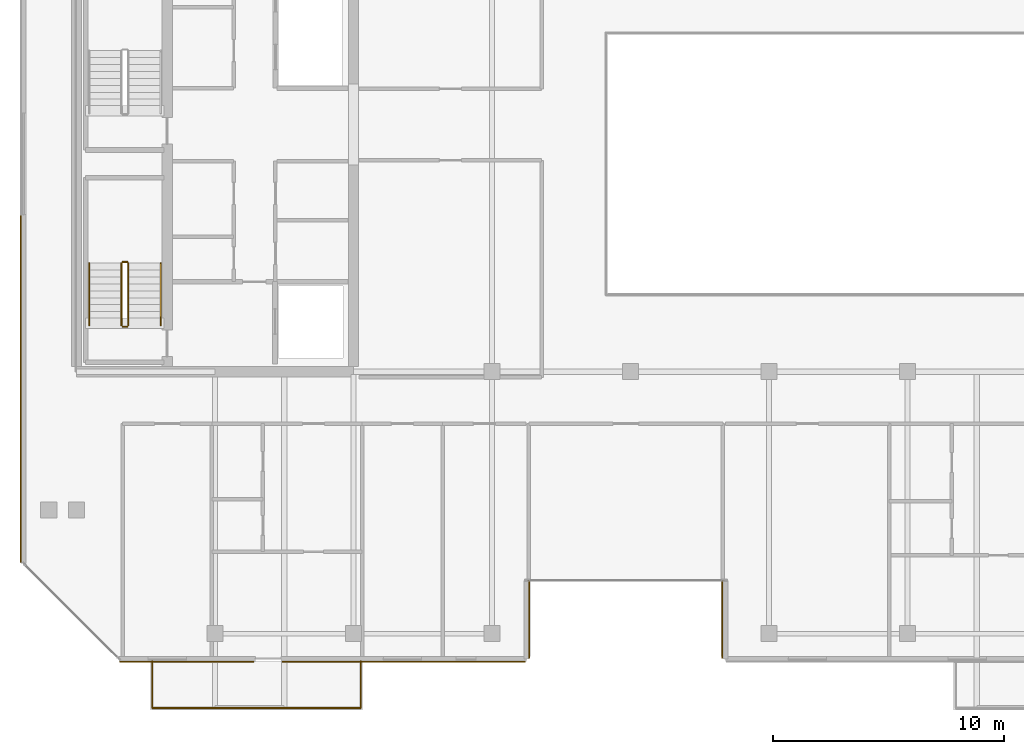
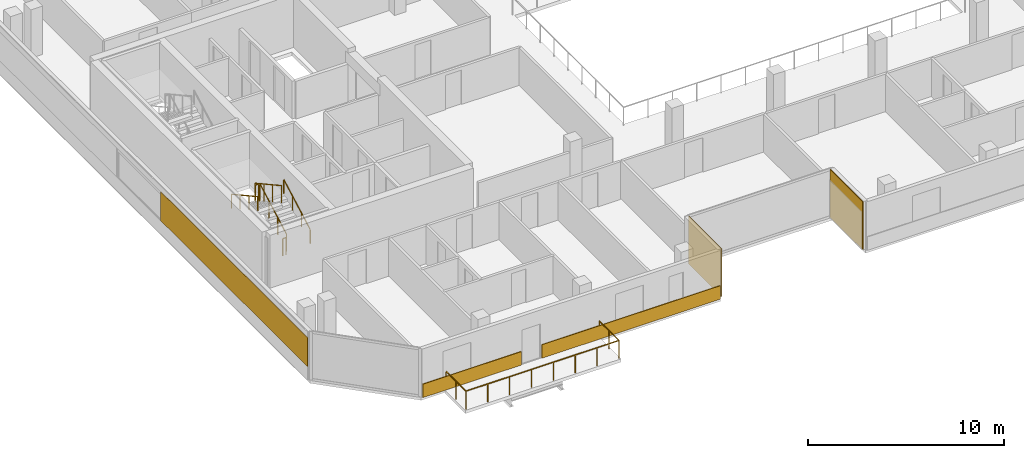
# One storey, part 21 of 24: 7 railings, 5 coverings.
"""IFC4 building model written with IfcOpenShell, lengths in metres."""

from ifc_helpers import new_model, si_unit, direction, frame, origin, origin_2d, place, context, subcontext, project, spatial, rectangle, extrude, material, layer, layer_set, type_object, element, save


model = new_model("IFC4")

# Units and contexts
model_context = context("Model", 3, precision=1e-05, world=origin(), true_north=direction((0.0, 1.0)))
body_context = subcontext(model_context, "Body", "Model", "MODEL_VIEW")
ifc_project = project(units=[si_unit("LENGTHUNIT", "METRE"), si_unit("AREAUNIT", "SQUARE_METRE"), si_unit("VOLUMEUNIT", "CUBIC_METRE"), si_unit("PLANEANGLEUNIT", "RADIAN"), si_unit("MASSUNIT", "GRAM", prefix="KILO")], contexts=[model_context])

# Site, building, storey
site_placement = place(None, origin())
site = spatial("IfcSite", under=ifc_project, at=site_placement, CompositionType="ELEMENT")
building_placement = place(site_placement, origin())
building = spatial("IfcBuilding", under=site, at=building_placement, Name="Tanjung Sevakor Pilgrim Tower", CompositionType="ELEMENT")
storey_placement = place(building_placement, frame((0.0, 0.0, 226.050048828125)))
storey = spatial("IfcBuildingStorey", under=building, at=storey_placement, Name="L63", CompositionType="ELEMENT", Elevation=226.050048828125)

# Coverings
ifc_material_1 = material(Name="Reconstructed Limestone Cladding", Category="masonry")
ifc_layer = layer(ifc_material_1, 0.044921875)
ifc_layer_set = layer_set([ifc_layer], Name="COV-CLAD-LIMESTONE")
covering_type = type_object("IfcCoveringType", Name="COV-CLAD-LIMESTONE", PredefinedType="CLADDING", material=ifc_layer_set)
covering_1_placement = place(storey_placement, frame((28.787841796875, 12.027587890625, 0.009765625), z_axis=(0.0, 0.0, 1.0), x_axis=(1.0, 0.0, 0.0)))
element("IfcCovering", 1, at=covering_1_placement, inside=storey, type_object=covering_type, Name="L63 Warm Limestone Sill Spandrel EW-L63-MAIN-1-1", PredefinedType="CLADDING", context=body_context, shape_type="SweptSolid", body=[
    extrude(rectangle(XDim=5.804443359375, YDim=0.044921875, at=origin_2d()), origin(), (0.0, 0.0, 1.0), 0.840087890625),
])
covering_2_placement = place(storey_placement, frame((38.179931640625, 12.027587890625, 0.009765625), z_axis=(0.0, 0.0, 1.0), x_axis=(1.0, 0.0, 0.0)))
element("IfcCovering", 2, at=covering_2_placement, inside=storey, type_object=covering_type, Name="L63 Warm Limestone Sill Spandrel EW-L63-MAIN-1-2", PredefinedType="CLADDING", context=body_context, shape_type="SweptSolid", body=[
    extrude(rectangle(XDim=10.5400390625, YDim=0.044921875, at=origin_2d()), origin(), (0.0, 0.0, 1.0), 0.840087890625),
])
for number, where, z_axis, x_axis, name in (
    (3, (43.62255859375, 13.860107421875, 0.02001953125), (0.0, 0.0, 1.0), (0.0, 1.0, 0.0), "L63 Warm Limestone Wall Cladding EW-L63-MAIN-2"),
    (4, (51.9775390625, 13.860107421875, 0.02001953125), (0.0, 0.0, 1.0), (0.0, -1.0, 0.0), "L63 Warm Limestone Wall Cladding EW-L63-MAIN-4"),
):
    element("IfcCovering", number, at=place(storey_placement, frame(where, z_axis=z_axis, x_axis=x_axis)), inside=storey, type_object=covering_type, Name=name, PredefinedType="CLADDING", context=body_context, shape_type="SweptSolid", body=[
        extrude(rectangle(XDim=3.360107421875, YDim=0.044921875, at=origin_2d()), origin(), (0.0, 0.0, 1.0), 2.97998046875),
    ])
covering_3_placement = place(storey_placement, frame((21.577392578125, 23.8427734375, 0.849853515625), z_axis=(0.0, 0.0, 1.0), x_axis=(0.0, -1.0, 0.0)))
element("IfcCovering", 5, at=covering_3_placement, inside=storey, type_object=covering_type, Name="L63 Warm Limestone Pier Panel EW-L63-MAIN-15-2", PredefinedType="CLADDING", context=body_context, shape_type="SweptSolid", body=[
    extrude(rectangle(XDim=15.014404296875, YDim=0.044921875, at=origin_2d()), origin(), (0.0, 0.0, 1.0), 1.81005859375),
])

# Railings
ifc_material_2 = material(Name="Laminated Glass and Aluminium", Category="aluminium")
railing_type_1 = type_object("IfcRailingType", Name="RL-BAL-BALUST", PredefinedType="BALUSTRADE", material=ifc_material_2)
railing_1_placement = place(storey_placement, frame((27.280029296875, 12.050048828125, 0.0)))
element("IfcRailing", 6, at=railing_1_placement, inside=storey, type_object=railing_type_1, Name="L63 Loggia Balustrade MAIN-S1", PredefinedType="BALUSTRADE", context=body_context, shape_type="SweptSolid", body=[
    extrude(rectangle(XDim=0.0479, YDim=0.0479), frame((0.0, 0.0, 1.1259765625), z_axis=(0.0, -1.0, 0.0), x_axis=(1.0, 0.0, 0.0)), (0.0, 0.0, 1.0), 2.02001953125),
    extrude(rectangle(XDim=0.0479, YDim=0.0479), frame((0.0, -2.02001953125, 1.1259765625), z_axis=(1.0, 0.0, 0.0), x_axis=(0.0, 1.0, 0.0)), (0.0, 0.0, 1.0), 9.0400390625),
    extrude(rectangle(XDim=0.0479, YDim=0.0479), frame((9.0400390625, -2.02001953125, 1.1259765625), z_axis=(0.0, 1.0, 0.0), x_axis=(-1.0, 0.0, 0.0)), (0.0, 0.0, 1.0), 2.02001953125),
    extrude(rectangle(XDim=0.042, YDim=0.042), origin(), (0.0, 0.0, 1.0), 1.101806640625),
    extrude(rectangle(XDim=0.042, YDim=0.042), frame((0.0, -1.010009765625, 0.0)), (0.0, 0.0, 1.0), 1.101806640625),
    extrude(rectangle(XDim=0.042, YDim=0.042), frame((0.0, -2.02001953125, 0.0)), (0.0, 0.0, 1.0), 1.101806640625),
    extrude(rectangle(XDim=0.042, YDim=0.042), frame((1.29150390625, -2.02001953125, 0.0)), (0.0, 0.0, 1.0), 1.101806640625),
    extrude(rectangle(XDim=0.042, YDim=0.042), frame((2.582763671875, -2.02001953125, 0.0)), (0.0, 0.0, 1.0), 1.101806640625),
    extrude(rectangle(XDim=0.042, YDim=0.042), frame((3.874267578125, -2.02001953125, 0.0)), (0.0, 0.0, 1.0), 1.101806640625),
    extrude(rectangle(XDim=0.042, YDim=0.042), frame((5.165771484375, -2.02001953125, 0.0)), (0.0, 0.0, 1.0), 1.101806640625),
    extrude(rectangle(XDim=0.042, YDim=0.042), frame((6.457275390625, -2.02001953125, 0.0)), (0.0, 0.0, 1.0), 1.101806640625),
    extrude(rectangle(XDim=0.042, YDim=0.042), frame((7.74853515625, -2.02001953125, 0.0)), (0.0, 0.0, 1.0), 1.101806640625),
    extrude(rectangle(XDim=0.042, YDim=0.042), frame((9.0400390625, -2.02001953125, 0.0)), (0.0, 0.0, 1.0), 1.101806640625),
    extrude(rectangle(XDim=0.042, YDim=0.042), frame((9.0400390625, -1.010009765625, 0.0)), (0.0, 0.0, 1.0), 1.101806640625),
    extrude(rectangle(XDim=0.042, YDim=0.042), frame((9.0400390625, 0.0, 0.0)), (0.0, 0.0, 1.0), 1.101806640625),
])
ifc_material_3 = material(Name="Steel S355J2", Category="steel")
railing_type_2 = type_object("IfcRailingType", Name="RL-STAIR-GUARD", PredefinedType="GUARDRAIL", material=ifc_material_3)
railing_2_placement = place(storey_placement, frame((26.25, 26.60009765625, 0.1650390625)))
element("IfcRailing", 7, at=railing_2_placement, inside=storey, type_object=railing_type_2, Name="L63 TS-W1 stair guard 1", PredefinedType="GUARDRAIL", context=body_context, shape_type="SweptSolid", body=[
    extrude(rectangle(XDim=0.0479, YDim=0.0479), frame((0.0, 0.0, 1.076171875), z_axis=(0.0, 0.876230963923, 0.481891375584), x_axis=(-1.0, 0.0, 0.0)), (0.0, 0.0, 1.0), 3.081298828125),
    extrude(rectangle(XDim=0.042, YDim=0.042), origin(), (0.0, 0.0, 1.0), 1.052001953125),
    extrude(rectangle(XDim=0.042, YDim=0.042), frame((0.0, 0.89990234375, 0.494873046875)), (0.0, 0.0, 1.0), 1.052001953125),
    extrude(rectangle(XDim=0.042, YDim=0.042), frame((0.0, 1.800048828125, 0.989990234375)), (0.0, 0.0, 1.0), 1.052001953125),
    extrude(rectangle(XDim=0.042, YDim=0.042), frame((0.0, 2.699951171875, 1.48486328125)), (0.0, 0.0, 1.0), 1.052001953125),
])
railing_3_placement = place(storey_placement, frame((26.199951171875, 29.35009765625, 1.64990234375)))
element("IfcRailing", 8, at=railing_3_placement, inside=storey, type_object=railing_type_2, Name="L63 TS-W1 stair guard 2", PredefinedType="GUARDRAIL", context=body_context, shape_type="SweptSolid", body=[
    extrude(rectangle(XDim=0.0479, YDim=0.0479), frame((0.0, 0.0, 1.076171875), z_axis=(-1.0, 0.0, 0.0), x_axis=(0.0, -1.0, 0.0)), (0.0, 0.0, 1.0), 0.199951171875),
    extrude(rectangle(XDim=0.042, YDim=0.042), origin(), (0.0, 0.0, 1.0), 1.052001953125),
    extrude(rectangle(XDim=0.042, YDim=0.042), frame((-0.199951171875, 0.0, 0.0)), (0.0, 0.0, 1.0), 1.052001953125),
])
railing_4_placement = place(storey_placement, frame((25.949951171875, 29.300048828125, 1.81494140625)))
element("IfcRailing", 9, at=railing_4_placement, inside=storey, type_object=railing_type_2, Name="L63 TS-W1 stair guard 3", PredefinedType="GUARDRAIL", context=body_context, shape_type="SweptSolid", body=[
    extrude(rectangle(XDim=0.0479, YDim=0.0479), frame((0.0, 0.0, 1.076171875), z_axis=(0.0, -0.876197507361, 0.481952205197), x_axis=(1.0, 0.0, 0.0)), (0.0, 0.0, 1.0), 3.08154296875),
    extrude(rectangle(XDim=0.042, YDim=0.042), origin(), (0.0, 0.0, 1.0), 1.052001953125),
    extrude(rectangle(XDim=0.042, YDim=0.042), frame((0.0, -0.89990234375, 0.4951171875)), (0.0, 0.0, 1.0), 1.052001953125),
    extrude(rectangle(XDim=0.042, YDim=0.042), frame((0.0, -1.800048828125, 0.989990234375)), (0.0, 0.0, 1.0), 1.052001953125),
    extrude(rectangle(XDim=0.042, YDim=0.042), frame((0.0, -2.699951171875, 1.485107421875)), (0.0, 0.0, 1.0), 1.052001953125),
])
railing_5_placement = place(storey_placement, frame((26.199951171875, 26.550048828125, 0.0)))
element("IfcRailing", 10, at=railing_5_placement, inside=storey, type_object=railing_type_2, Name="L63 TS-W1 stair guard 4", PredefinedType="GUARDRAIL", context=body_context, shape_type="SweptSolid", body=[
    extrude(rectangle(XDim=0.0479, YDim=0.0479), frame((0.0, 0.0, 1.076171875), z_axis=(-1.0, 0.0, 0.0), x_axis=(0.0, -1.0, 0.0)), (0.0, 0.0, 1.0), 0.199951171875),
    extrude(rectangle(XDim=0.042, YDim=0.042), origin(), (0.0, 0.0, 1.0), 1.052001953125),
    extrude(rectangle(XDim=0.042, YDim=0.042), frame((-0.199951171875, 0.0, 0.0)), (0.0, 0.0, 1.0), 1.052001953125),
])
ifc_material_4 = material(Name="Steel S355J2", Category="steel")
railing_type_3 = type_object("IfcRailingType", Name="RL-STAIR-HAND", PredefinedType="HANDRAIL", material=ifc_material_4)
railing_6_placement = place(storey_placement, frame((27.64990234375, 26.60009765625, 0.1650390625)))
element("IfcRailing", 11, at=railing_6_placement, inside=storey, type_object=railing_type_3, Name="L63 TS-W1 stair handrail 1", PredefinedType="HANDRAIL", context=body_context, shape_type="SweptSolid", body=[
    extrude(rectangle(XDim=0.0479, YDim=0.0479), frame((0.0, 0.0, 0.8759765625), z_axis=(0.0, 0.876230963923, 0.481891375584), x_axis=(-1.0, 0.0, 0.0)), (0.0, 0.0, 1.0), 3.081298828125),
    extrude(rectangle(XDim=0.042, YDim=0.042), origin(), (0.0, 0.0, 1.0), 0.851806640625),
    extrude(rectangle(XDim=0.042, YDim=0.042), frame((0.0, 0.89990234375, 0.494873046875)), (0.0, 0.0, 1.0), 0.851806640625),
    extrude(rectangle(XDim=0.042, YDim=0.042), frame((0.0, 1.800048828125, 0.989990234375)), (0.0, 0.0, 1.0), 0.851806640625),
    extrude(rectangle(XDim=0.042, YDim=0.042), frame((0.0, 2.699951171875, 1.48486328125)), (0.0, 0.0, 1.0), 0.851806640625),
])
railing_7_placement = place(storey_placement, frame((24.550048828125, 29.300048828125, 1.81494140625)))
element("IfcRailing", 12, at=railing_7_placement, inside=storey, type_object=railing_type_3, Name="L63 TS-W1 stair handrail 2", PredefinedType="HANDRAIL", context=body_context, shape_type="SweptSolid", body=[
    extrude(rectangle(XDim=0.0479, YDim=0.0479), frame((0.0, 0.0, 0.8759765625), z_axis=(0.0, -0.876197507361, 0.481952205197), x_axis=(1.0, 0.0, 0.0)), (0.0, 0.0, 1.0), 3.08154296875),
    extrude(rectangle(XDim=0.042, YDim=0.042), origin(), (0.0, 0.0, 1.0), 0.851806640625),
    extrude(rectangle(XDim=0.042, YDim=0.042), frame((0.0, -0.89990234375, 0.4951171875)), (0.0, 0.0, 1.0), 0.851806640625),
    extrude(rectangle(XDim=0.042, YDim=0.042), frame((0.0, -1.800048828125, 0.989990234375)), (0.0, 0.0, 1.0), 0.851806640625),
    extrude(rectangle(XDim=0.042, YDim=0.042), frame((0.0, -2.699951171875, 1.485107421875)), (0.0, 0.0, 1.0), 0.851806640625),
])

save(model, "model.ifc")
